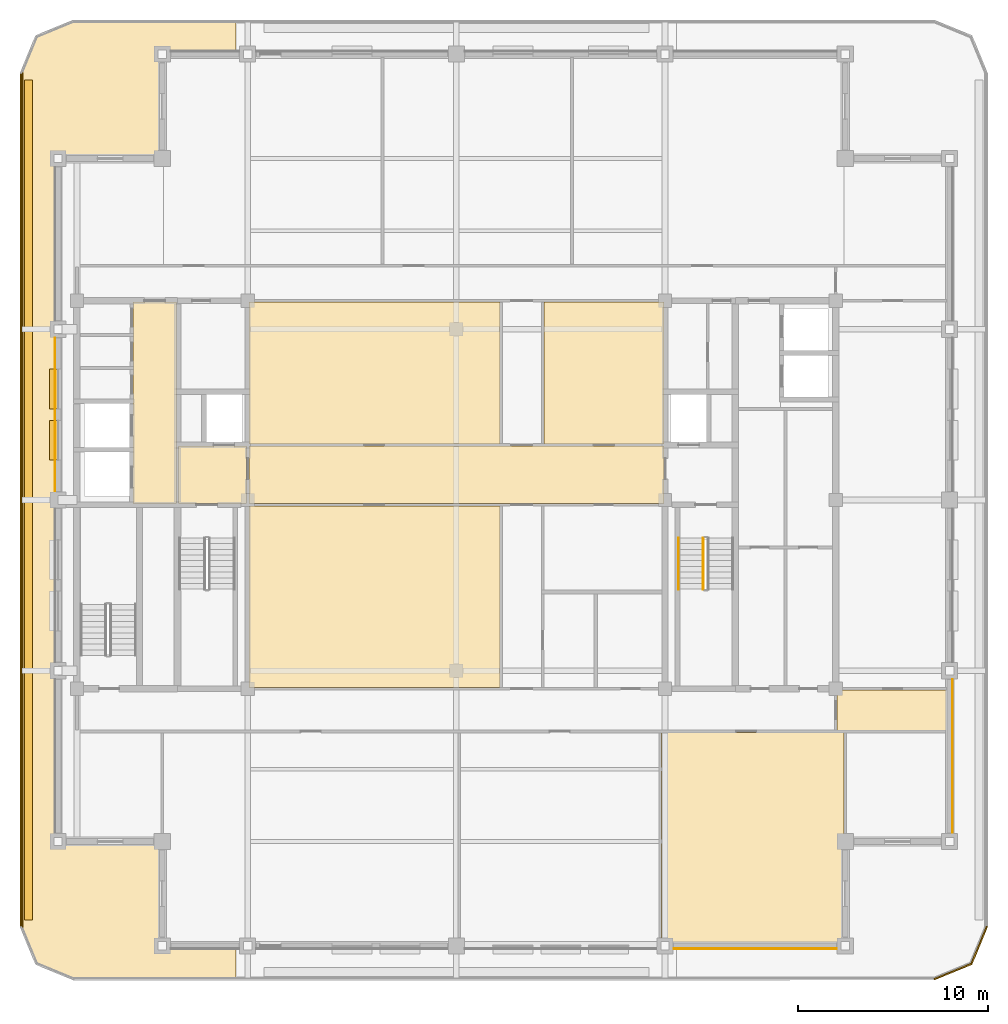
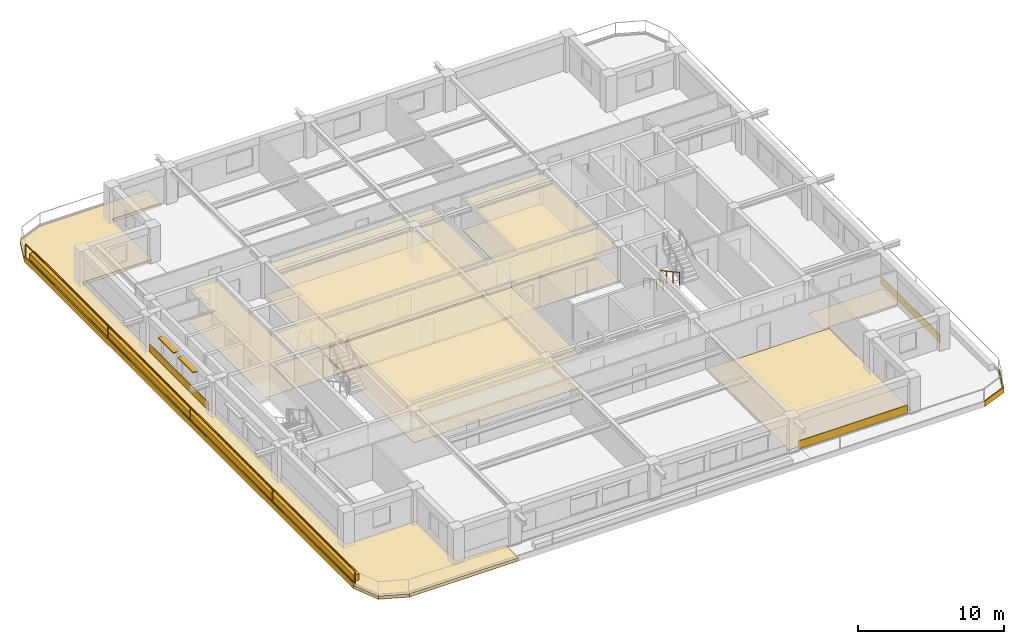
# One storey, part 9 of 11: 22 coverings, 3 railings, 2 shading devices.
"""IFC4 building model written with IfcOpenShell, lengths in metres."""

from ifc_helpers import new_model, si_unit, direction, frame, frame_2d, origin, origin_2d, place, context, subcontext, project, spatial, polyline, rectangle, outline, extrude, material, layer, layer_set, type_object, element, save


model = new_model("IFC4")

# Units and contexts
model_context = context("Model", 3, precision=1e-05, world=origin(), true_north=direction((0.0, 1.0)))
body_context = subcontext(model_context, "Body", "Model", "MODEL_VIEW")
ifc_project = project(units=[si_unit("LENGTHUNIT", "METRE"), si_unit("AREAUNIT", "SQUARE_METRE"), si_unit("VOLUMEUNIT", "CUBIC_METRE"), si_unit("PLANEANGLEUNIT", "RADIAN"), si_unit("MASSUNIT", "GRAM", prefix="KILO")], contexts=[model_context])

# Site, building, storey
site_placement = place(None, origin())
site = spatial("IfcSite", under=ifc_project, at=site_placement, CompositionType="ELEMENT")
building_placement = place(site_placement, origin())
building = spatial("IfcBuilding", under=site, at=building_placement, Name="Zulmaris Gate Convention Tower", CompositionType="ELEMENT")
storey_placement = place(building_placement, frame((0.0, 0.0, 242.969970703125)))
storey = spatial("IfcBuildingStorey", under=building, at=storey_placement, Name="L64", CompositionType="ELEMENT", Elevation=242.969970703125)

# Coverings
ifc_material_1 = material(Name="Precast concrete C40/50", Category="concrete")
ifc_layer_1 = layer(ifc_material_1, 0.0400390625, Name="Precast concrete C40/50")
ifc_layer_set_1 = layer_set([ifc_layer_1], Name="Precast concrete C40/50")
covering_type_1 = type_object("IfcCoveringType", Name="CLAD-SPANDREL-PRECAST", PredefinedType="CLADDING", material=ifc_layer_set_1)
covering_1_placement = place(storey_placement, frame((11.455078125, -23.64990234375, 0.0), z_axis=(0.0, 0.0, 1.0), x_axis=(1.0, 0.0, 0.0)))
element("IfcCovering", 1, at=covering_1_placement, inside=storey, type_object=covering_type_1, Name="CLD-L64-S-3_0", PredefinedType="CLADDING", context=body_context, shape_type="SweptSolid", body=[
    extrude(rectangle(XDim=8.58984375, YDim=0.0400390625, at=frame_2d((4.294921875, 0.0))), origin(), (0.0, 0.0, 1.0), 0.679931640625),
])
for number, where, z_axis, x_axis, name in (
    (2, (26.14990234375, -17.544921875, 0.0), (0.0, 0.0, 1.0), (0.0, 1.0, 0.0), "CLD-L64-E-0_0"),
    (3, (-21.14990234375, 8.544921875, 0.0), (0.0, 0.0, 1.0), (0.0, -1.0, 0.0), "CLD-L64-W-2_0"),
):
    element("IfcCovering", number, at=place(storey_placement, frame(where, z_axis=z_axis, x_axis=x_axis)), inside=storey, type_object=covering_type_1, Name=name, PredefinedType="CLADDING", context=body_context, shape_type="SweptSolid", body=[
        extrude(rectangle(XDim=8.08984375, YDim=0.0400390625, at=frame_2d((4.044921875, 0.0))), origin(), (0.0, 0.0, 1.0), 0.679931640625),
    ])
ifc_material_2 = material(Name="White Glazed Architectural Precast Concrete C40/50", Category="concrete")
ifc_layer_2 = layer(ifc_material_2, 0.239990234375, Name="White Glazed Architectural Precast Concrete C40/50")
ifc_layer_set_2 = layer_set([ifc_layer_2], Name="White Glazed Architectural Precast Concrete C40/50")
covering_type_2 = type_object("IfcCoveringType", Name="CLAD-TRAY-DECK", PredefinedType="CLADDING", material=ifc_layer_set_2)
covering_2_placement = place(storey_placement, frame((0.0, 0.0, -0.25)))
element("IfcCovering", 4, at=covering_2_placement, inside=storey, type_object=covering_type_2, Name="L64 West Rounded-Fascia Planter Tray Deck", PredefinedType="CLADDING", context=body_context, shape_type="SweptSolid", body=[
    extrude(outline(polyline([(-23.0, 22.5), (-22.179931640625, 24.47998046875), (-20.199951171875, 25.300048828125), (-11.60205078125, 25.300048828125), (-11.60205078125, 23.5), (-15.5, 23.5), (-15.5, 18.0), (-21.0, 18.0), (-21.0, -18.0), (-15.5, -18.0), (-15.5, -23.5), (-11.60205078125, -23.5), (-11.60205078125, -25.300048828125), (-20.199951171875, -25.300048828125), (-22.179931640625, -24.47998046875), (-23.0, -22.5), (-23.0, 22.5)])), origin(), (0.0, 0.0, 1.0), 0.260009765625),
])
ifc_layer_3 = layer(ifc_material_2, 0.080078125, Name="White Glazed Architectural Precast Concrete C40/50")
ifc_layer_set_3 = layer_set([ifc_layer_3], Name="White Glazed Architectural Precast Concrete C40/50")
covering_type_3 = type_object("IfcCoveringType", Name="CLAD-TRAY-FASCIA", PredefinedType="CLADDING", material=ifc_layer_set_3)
covering_3_placement = place(storey_placement, frame((25.184814453125, -25.262939453125, -0.2900390625), z_axis=(0.0, 0.0, 1.0), x_axis=(0.923873803533, 0.382697263049, 0.0)))
element("IfcCovering", 5, at=covering_3_placement, inside=storey, type_object=covering_type_3, Name="FSC-L64-TR-03", PredefinedType="CLADDING", context=body_context, shape_type="SweptSolid", body=[
    extrude(rectangle(XDim=2.142822265625, YDim=0.080078125, at=frame_2d((1.0712890625, 0.0))), origin(), (0.0, 0.0, 1.0), 0.4599609375),
])
covering_4_placement = place(storey_placement, frame((27.142822265625, -24.464599609375, -0.2900390625), z_axis=(0.0, 0.0, 1.0), x_axis=(0.382656984709, 0.923890487046, 0.0)))
element("IfcCovering", 6, at=covering_4_placement, inside=storey, type_object=covering_type_3, Name="FSC-L64-TR-04", PredefinedType="CLADDING", context=body_context, shape_type="SweptSolid", body=[
    extrude(rectangle(XDim=2.14306640625, YDim=0.080078125, at=frame_2d((1.071533203125, 0.0))), origin(), (0.0, 0.0, 1.0), 0.4599609375),
])
covering_5_placement = place(storey_placement, frame((-22.9599609375, 22.5, -0.2900390625), z_axis=(0.0, 0.0, 1.0), x_axis=(0.0, -1.0, 0.0)))
element("IfcCovering", 7, at=covering_5_placement, inside=storey, type_object=covering_type_3, Name="FSC-L64-TR-11", PredefinedType="CLADDING", context=body_context, shape_type="SweptSolid", body=[
    extrude(rectangle(XDim=45.0, YDim=0.080078125, at=frame_2d((22.5, 0.0))), origin(), (0.0, 0.0, 1.0), 0.4599609375),
])
ifc_material_3 = material(Name="Mineral Fibre Acoustic Ceiling Tile")
ifc_layer_4 = layer(ifc_material_3, 0.02001953125, Name="Mineral Fibre Acoustic Ceiling Tile")
ifc_layer_set_4 = layer_set([ifc_layer_4], Name="Mineral Fibre Acoustic Ceiling Tile")
covering_type_4 = type_object("IfcCoveringType", Name="CLG-ACOUSTIC-600", PredefinedType="CEILING", material=ifc_layer_set_4)
covering_6_placement = place(storey_placement, frame((0.0, 0.0, 2.699951171875)))
element("IfcCovering", 8, at=covering_6_placement, inside=storey, type_object=covering_type_4, Name="CLG-L64-R03", PredefinedType="CEILING", context=body_context, shape_type="SweptSolid", body=[
    extrude(outline(polyline([(-14.639892578125, -0.18994140625), (-11.06005859375, -0.18994140625), (-11.06005859375, 2.840087890625), (-14.639892578125, 2.840087890625), (-14.639892578125, -0.18994140625)])), origin(), (0.0, 0.0, 1.0), 0.02001953125),
])
covering_7_placement = place(storey_placement, frame((0.0, 0.0, 2.5380859375)))
element("IfcCovering", 9, at=covering_7_placement, inside=storey, type_object=covering_type_4, Name="CLG-L64-R18", PredefinedType="CEILING", context=body_context, shape_type="SweptSolid", body=[
    extrude(outline(polyline([(-17.0400390625, -0.18994140625), (-14.760009765625, -0.18994140625), (-14.760009765625, 10.43994140625), (-17.0400390625, 10.43994140625), (-17.0400390625, -0.18994140625)])), origin(), (0.0, 0.0, 1.0), 0.02001953125),
])
covering_8_placement = place(storey_placement, frame((0.0, 0.0, 2.5380859375)))
element("IfcCovering", 10, at=covering_8_placement, inside=storey, type_object=covering_type_4, Name="CLG-L64-R33", PredefinedType="CEILING", context=body_context, shape_type="SweptSolid", body=[
    extrude(outline(polyline([(-10.93994140625, -0.18994140625), (10.93994140625, -0.18994140625), (10.93994140625, 2.840087890625), (-10.93994140625, 2.840087890625), (-10.93994140625, -0.18994140625)])), origin(), (0.0, 0.0, 1.0), 0.02001953125),
])
covering_9_placement = place(storey_placement, frame((0.0, 0.0, 2.5380859375)))
element("IfcCovering", 11, at=covering_9_placement, inside=storey, type_object=covering_type_4, Name="CLG-L64-R42", PredefinedType="CEILING", context=body_context, shape_type="SweptSolid", body=[
    extrude(outline(polyline([(-10.93994140625, 2.9599609375), (2.2900390625, 2.9599609375), (2.2900390625, 10.43994140625), (-10.93994140625, 10.43994140625), (-10.93994140625, 2.9599609375)])), origin(), (0.0, 0.0, 1.0), 0.02001953125),
])
covering_10_placement = place(storey_placement, frame((0.0, 0.0, 2.5380859375)))
element("IfcCovering", 12, at=covering_10_placement, inside=storey, type_object=covering_type_4, Name="CLG-L64-R43", PredefinedType="CEILING", context=body_context, shape_type="SweptSolid", body=[
    extrude(outline(polyline([(4.610107421875, 2.9599609375), (10.93994140625, 2.9599609375), (10.93994140625, 10.43994140625), (4.610107421875, 10.43994140625), (4.610107421875, 2.9599609375)])), origin(), (0.0, 0.0, 1.0), 0.02001953125),
])
covering_11_placement = place(storey_placement, frame((0.0, 0.0, 2.5380859375)))
element("IfcCovering", 13, at=covering_11_placement, inside=storey, type_object=covering_type_4, Name="CLG-L64-R44", PredefinedType="CEILING", context=body_context, shape_type="SweptSolid", body=[
    extrude(outline(polyline([(-10.93994140625, -9.889892578125), (2.2900390625, -9.889892578125), (2.2900390625, -0.31005859375), (-10.93994140625, -0.31005859375), (-10.93994140625, -9.889892578125)])), origin(), (0.0, 0.0, 1.0), 0.02001953125),
])
ifc_material_4 = material(Name="Woven Acoustic Wool Carpet Tile")
ifc_layer_5 = layer(ifc_material_4, 0.02001953125, Name="Woven Acoustic Wool Carpet Tile")
ifc_layer_set_5 = layer_set([ifc_layer_5], Name="Woven Acoustic Wool Carpet Tile")
covering_type_5 = type_object("IfcCoveringType", Name="FLR-CARPET-12", PredefinedType="FLOORING", material=ifc_layer_set_5)
covering_12_placement = place(storey_placement, origin())
element("IfcCovering", 14, at=covering_12_placement, inside=storey, type_object=covering_type_5, Name="FLR-L64-R03", PredefinedType="FLOORING", context=body_context, shape_type="SweptSolid", body=[
    extrude(outline(polyline([(-14.639892578125, -0.18994140625), (-11.06005859375, -0.18994140625), (-11.06005859375, 2.840087890625), (-14.639892578125, 2.840087890625), (-14.639892578125, -0.18994140625)])), origin(), (0.0, 0.0, 1.0), 0.02001953125),
])
covering_13_placement = place(storey_placement, origin())
element("IfcCovering", 15, at=covering_13_placement, inside=storey, type_object=covering_type_5, Name="FLR-L64-R18", PredefinedType="FLOORING", context=body_context, shape_type="SweptSolid", body=[
    extrude(outline(polyline([(-17.0400390625, -0.18994140625), (-14.760009765625, -0.18994140625), (-14.760009765625, 10.43994140625), (-17.0400390625, 10.43994140625), (-17.0400390625, -0.18994140625)])), origin(), (0.0, 0.0, 1.0), 0.02001953125),
])
covering_14_placement = place(storey_placement, origin())
element("IfcCovering", 16, at=covering_14_placement, inside=storey, type_object=covering_type_5, Name="FLR-L64-R33", PredefinedType="FLOORING", context=body_context, shape_type="SweptSolid", body=[
    extrude(outline(polyline([(-10.93994140625, -0.18994140625), (10.93994140625, -0.18994140625), (10.93994140625, 2.840087890625), (-10.93994140625, 2.840087890625), (-10.93994140625, -0.18994140625)])), origin(), (0.0, 0.0, 1.0), 0.02001953125),
])
covering_15_placement = place(storey_placement, origin())
element("IfcCovering", 17, at=covering_15_placement, inside=storey, type_object=covering_type_5, Name="FLR-L64-R41", PredefinedType="FLOORING", context=body_context, shape_type="SweptSolid", body=[
    extrude(outline(polyline([(10.81005859375, -23.43994140625), (20.43994140625, -23.43994140625), (20.43994140625, -12.260009765625), (10.81005859375, -12.260009765625), (10.81005859375, -23.43994140625)])), origin(), (0.0, 0.0, 1.0), 0.02001953125),
])
covering_16_placement = place(storey_placement, origin())
element("IfcCovering", 18, at=covering_16_placement, inside=storey, type_object=covering_type_5, Name="FLR-L64-R43", PredefinedType="FLOORING", context=body_context, shape_type="SweptSolid", body=[
    extrude(outline(polyline([(4.610107421875, 2.9599609375), (10.93994140625, 2.9599609375), (10.93994140625, 10.43994140625), (4.610107421875, 10.43994140625), (4.610107421875, 2.9599609375)])), origin(), (0.0, 0.0, 1.0), 0.02001953125),
])
covering_17_placement = place(storey_placement, origin())
element("IfcCovering", 19, at=covering_17_placement, inside=storey, type_object=covering_type_5, Name="FLR-L64-R44", PredefinedType="FLOORING", context=body_context, shape_type="SweptSolid", body=[
    extrude(outline(polyline([(-10.93994140625, -9.889892578125), (2.2900390625, -9.889892578125), (2.2900390625, -0.31005859375), (-10.93994140625, -0.31005859375), (-10.93994140625, -9.889892578125)])), origin(), (0.0, 0.0, 1.0), 0.02001953125),
])
covering_18_placement = place(storey_placement, origin())
element("IfcCovering", 20, at=covering_18_placement, inside=storey, type_object=covering_type_5, Name="FLR-L64-R49", PredefinedType="FLOORING", context=body_context, shape_type="SweptSolid", body=[
    extrude(outline(polyline([(20.06005859375, -12.139892578125), (25.93994140625, -12.139892578125), (25.93994140625, -10.010009765625), (20.06005859375, -10.010009765625), (20.06005859375, -12.139892578125)])), origin(), (0.0, 0.0, 1.0), 0.02001953125),
])
ifc_material_5 = material(Name="Polished Granite Terrazzo Tile", Category="masonry")
ifc_layer_6 = layer(ifc_material_5, 0.02001953125, Name="Polished Granite Terrazzo Tile")
ifc_layer_set_6 = layer_set([ifc_layer_6], Name="Polished Granite Terrazzo Tile")
covering_type_6 = type_object("IfcCoveringType", Name="FLR-TERRAZZO-30", PredefinedType="FLOORING", material=ifc_layer_set_6)
covering_19_placement = place(storey_placement, origin())
element("IfcCovering", 21, at=covering_19_placement, inside=storey, type_object=covering_type_6, Name="FLR-L64-R42", PredefinedType="FLOORING", context=body_context, shape_type="SweptSolid", body=[
    extrude(outline(polyline([(-10.93994140625, 2.9599609375), (2.2900390625, 2.9599609375), (2.2900390625, 10.43994140625), (-10.93994140625, 10.43994140625), (-10.93994140625, 2.9599609375)])), origin(), (0.0, 0.0, 1.0), 0.02001953125),
])
ifc_material_6 = material(Name="Botanical Green Glazed Precast Concrete C40/50", Category="concrete")
ifc_layer_7 = layer(ifc_material_6, 0.419921875, Name="Botanical Green Glazed Precast Concrete C40/50")
ifc_layer_set_7 = layer_set([ifc_layer_7], Name="Botanical Green Glazed Precast Concrete C40/50")
covering_type_7 = type_object("IfcCoveringType", Name="PLANTER-BOX-200", PredefinedType="CLADDING", material=ifc_layer_set_7)
covering_20_placement = place(storey_placement, frame((0.0, 0.0, 0.010009765625)))
element("IfcCovering", 22, at=covering_20_placement, inside=storey, type_object=covering_type_7, Name="L64 W Full-Length Balcony Tree Planter Trough", PredefinedType="CLADDING", context=body_context, shape_type="SweptSolid", body=[
    extrude(outline(polyline([(-22.760009765625, -22.14990234375), (-22.340087890625, -22.14990234375), (-22.340087890625, 22.14990234375), (-22.760009765625, 22.14990234375), (-22.760009765625, -22.14990234375)])), origin(), (0.0, 0.0, 1.0), 0.52001953125),
])

# Railings
ifc_material_7 = material(Name="Laminated Glass and Stainless Steel", Category="steel")
railing_type_1 = type_object("IfcRailingType", Name="RL-BALC-1150", PredefinedType="BALUSTRADE", material=ifc_material_7)
railing_1_placement = place(storey_placement, frame((-22.8798828125, 22.5, 0.010009765625)))
element("IfcRailing", 23, at=railing_1_placement, inside=storey, type_object=railing_type_1, Name="RL-L64-BALC-W", PredefinedType="BALUSTRADE", context=body_context, shape_type="SweptSolid", body=[
    extrude(rectangle(XDim=0.048095703125, YDim=0.048095703125, at=origin_2d()), frame((0.0, 0.0, 1.1259765625), z_axis=(0.0, -1.0, 0.0), x_axis=(1.0, 0.0, 0.0)), (0.0, 0.0, 1.0), 45.0),
    extrude(rectangle(XDim=0.048095703125, YDim=0.048095703125, at=origin_2d()), frame((0.0, 0.0, 0.02392578125), z_axis=(0.0, -1.0, 0.0), x_axis=(1.0, 0.0, 0.0)), (0.0, 0.0, 1.0), 45.0),
    extrude(rectangle(XDim=0.0419921875, YDim=0.0419921875, at=origin_2d()), origin(), (0.0, 0.0, 1.0), 1.101806640625),
    extrude(rectangle(XDim=0.0419921875, YDim=0.0419921875, at=origin_2d()), frame((0.0, -11.25, 0.0)), (0.0, 0.0, 1.0), 1.101806640625),
    extrude(rectangle(XDim=0.0419921875, YDim=0.0419921875, at=origin_2d()), frame((0.0, -22.5, 0.0)), (0.0, 0.0, 1.0), 1.101806640625),
    extrude(rectangle(XDim=0.0419921875, YDim=0.0419921875, at=origin_2d()), frame((0.0, -33.75, 0.0)), (0.0, 0.0, 1.0), 1.101806640625),
    extrude(rectangle(XDim=0.0419921875, YDim=0.0419921875, at=origin_2d()), frame((0.0, -45.0, 0.0)), (0.0, 0.0, 1.0), 1.101806640625),
])
ifc_material_8 = material(Name="Painted Galvanised Steel", Category="steel")
railing_type_2 = type_object("IfcRailingType", Name="RL-STG-1150", PredefinedType="GUARDRAIL", material=ifc_material_8)
railing_2_placement = place(storey_placement, frame((13.010009765625, -2.0, 0.16162109375)))
element("IfcRailing", 24, at=railing_2_placement, inside=storey, type_object=railing_type_2, Name="L64 ST-2 stair guard 1", PredefinedType="GUARDRAIL", context=body_context, shape_type="SweptSolid", body=[
    extrude(rectangle(XDim=0.048095703125, YDim=0.048095703125, at=origin_2d()), frame((0.0, 0.0, 1.076171875), z_axis=(0.0, -0.880532452117, 0.47398586558), x_axis=(1.0, 0.0, 0.0)), (0.0, 0.0, 1.0), 3.066162109375),
    extrude(rectangle(XDim=0.0419921875, YDim=0.0419921875, at=origin_2d()), origin(), (0.0, 0.0, 1.0), 1.052001953125),
    extrude(rectangle(XDim=0.0419921875, YDim=0.0419921875, at=origin_2d()), frame((0.0, -0.89990234375, 0.484375)), (0.0, 0.0, 1.0), 1.052001953125),
    extrude(rectangle(XDim=0.0419921875, YDim=0.0419921875, at=origin_2d()), frame((0.0, -1.800048828125, 0.968994140625)), (0.0, 0.0, 1.0), 1.052001953125),
    extrude(rectangle(XDim=0.0419921875, YDim=0.0419921875, at=origin_2d()), frame((0.0, -2.699951171875, 1.453369140625)), (0.0, 0.0, 1.0), 1.052001953125),
])
ifc_material_9 = material(Name="Brushed Stainless Steel", Category="steel")
railing_type_3 = type_object("IfcRailingType", Name="RL-STH-900", PredefinedType="HANDRAIL", material=ifc_material_9)
railing_3_placement = place(storey_placement, frame((11.7099609375, -2.0, 0.16162109375)))
element("IfcRailing", 25, at=railing_3_placement, inside=storey, type_object=railing_type_3, Name="L64 ST-2 stair handrail 1", PredefinedType="HANDRAIL", context=body_context, shape_type="SweptSolid", body=[
    extrude(rectangle(XDim=0.048095703125, YDim=0.048095703125, at=origin_2d()), frame((0.0, 0.0, 0.8759765625), z_axis=(0.0, -0.880532452117, 0.47398586558), x_axis=(1.0, 0.0, 0.0)), (0.0, 0.0, 1.0), 3.066162109375),
    extrude(rectangle(XDim=0.0419921875, YDim=0.0419921875, at=origin_2d()), origin(), (0.0, 0.0, 1.0), 0.851806640625),
    extrude(rectangle(XDim=0.0419921875, YDim=0.0419921875, at=origin_2d()), frame((0.0, -0.89990234375, 0.484375)), (0.0, 0.0, 1.0), 0.851806640625),
    extrude(rectangle(XDim=0.0419921875, YDim=0.0419921875, at=origin_2d()), frame((0.0, -1.800048828125, 0.968994140625)), (0.0, 0.0, 1.0), 0.851806640625),
    extrude(rectangle(XDim=0.0419921875, YDim=0.0419921875, at=origin_2d()), frame((0.0, -2.699951171875, 1.453369140625)), (0.0, 0.0, 1.0), 0.851806640625),
])

# Shading devices
ifc_material_10 = material(Name="Glazed Ceramic Terracotta", Category="masonry")
ifc_layer_8 = layer(ifc_material_10, 0.070068359375, Name="Glazed Ceramic Terracotta")
ifc_layer_set_8 = layer_set([ifc_layer_8], Name="Glazed Ceramic Terracotta")
shading_device_type = type_object("IfcShadingDeviceType", Name="SHD-SUNSHADE-TC", PredefinedType="AWNING", material=ifc_layer_set_8)
for number, where, z_axis, x_axis, name in (
    (26, (-21.219970703125, 6.89794921875, 2.22998046875), (0.0, 0.0, 1.0), (0.0, -1.0, 0.0), "SHD-EW-L64-W-2_0-1"),
    (27, (-21.219970703125, 4.201904296875, 2.22998046875), (0.0, 0.0, 1.0), (0.0, -1.0, 0.0), "SHD-EW-L64-W-2_0-2"),
):
    element("IfcShadingDevice", number, at=place(storey_placement, frame(where, z_axis=z_axis, x_axis=x_axis)), inside=storey, type_object=shading_device_type, Name=name, PredefinedType="AWNING", context=body_context, shape_type="SweptSolid", body=[
        extrude(rectangle(XDim=2.099853515625, YDim=0.43994140625, at=frame_2d((1.0498046875, 0.0))), origin(), (0.0, 0.0, 1.0), 0.070068359375),
    ])

save(model, "model.ifc")
